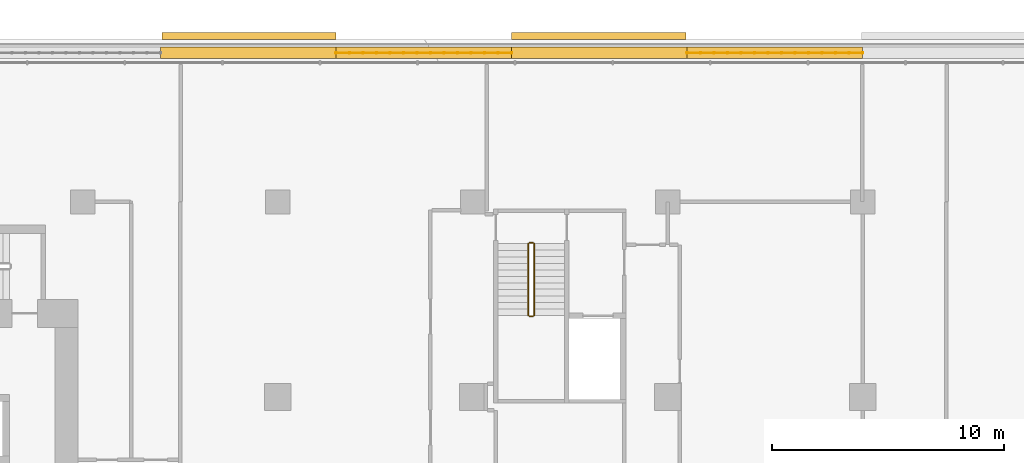
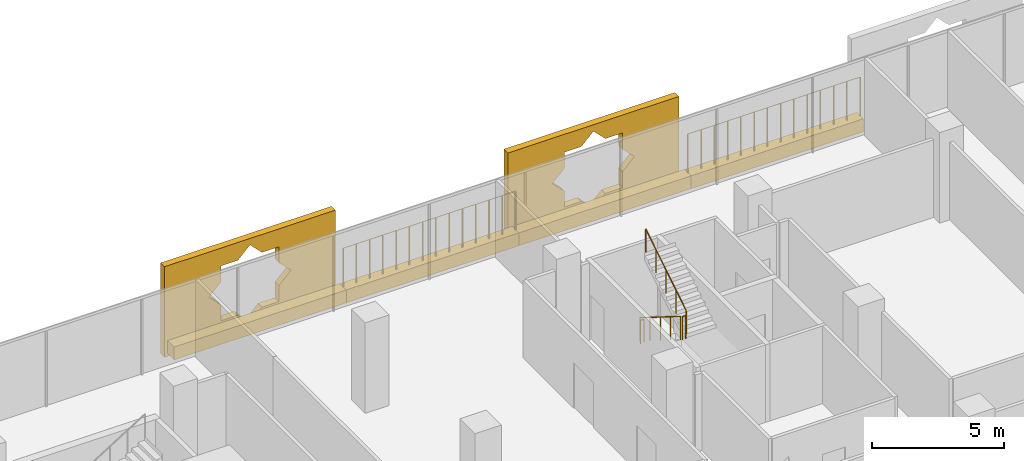
# One storey, part 28 of 29: 6 coverings, 6 railings.
"""IFC4 building model written with IfcOpenShell, lengths in metres."""

from ifc_helpers import new_model, si_unit, direction, frame, origin, origin_2d, place, context, subcontext, project, spatial, polyline, rectangle, circle, outline, extrude, material, material_profile, profile_set, type_object, element, save


model = new_model("IFC4")

# Units and contexts
model_context = context("Model", 3, precision=1e-05, world=origin(), true_north=direction((0.0, 1.0)))
body_context = subcontext(model_context, "Body", "Model", "MODEL_VIEW")
ifc_project = project(units=[si_unit("LENGTHUNIT", "METRE"), si_unit("AREAUNIT", "SQUARE_METRE"), si_unit("VOLUMEUNIT", "CUBIC_METRE"), si_unit("PLANEANGLEUNIT", "RADIAN"), si_unit("MASSUNIT", "GRAM", prefix="KILO")], contexts=[model_context])

# Site, building, storey
site_placement = place(None, origin())
site = spatial("IfcSite", under=ifc_project, at=site_placement, CompositionType="ELEMENT")
building_placement = place(site_placement, origin())
building = spatial("IfcBuilding", under=site, at=building_placement, Name="Kawkab Arch Medical Tower", CompositionType="ELEMENT")
storey_placement = place(building_placement, frame((0.0, 0.0, 107.199951171875)))
storey = spatial("IfcBuildingStorey", under=building, at=storey_placement, Name="L24", CompositionType="ELEMENT", Elevation=107.199951171875)

# Coverings
ifc_material_1 = material(Name="Bronze anodised aluminium mashrabiya panel, eight-point star pattern", Category="aluminium")
ifc_material_profile_1 = material_profile(ifc_material_1, outline(polyline([(-3.75, -2.10009765625), (3.75, -2.10009765625), (3.75, 2.10009765625), (-3.75, 2.10009765625), (-3.75, -2.10009765625)]), holes=[polyline([(1.800048828125, 0.0), (1.272705078125, 0.527099609375), (1.272705078125, 1.272705078125), (0.527099609375, 1.272705078125), (0.0, 1.800048828125), (-0.527099609375, 1.272705078125), (-1.272705078125, 1.272705078125), (-1.272705078125, 0.527099609375), (-1.800048828125, 0.0), (-1.272705078125, -0.527099609375), (-1.272705078125, -1.272705078125), (-0.527099609375, -1.272705078125), (0.0, -1.800048828125), (0.527099609375, -1.272705078125), (1.272705078125, -1.272705078125), (1.272705078125, -0.527099609375), (1.800048828125, 0.0)])]), Name="Mashrabiya panel 7500x4200")
ifc_profile_set_1 = profile_set([ifc_material_profile_1], Name="Bronze anodised aluminium mashrabiya panel, eight-point star pattern")
covering_type_1 = type_object("IfcCoveringType", Name="Mashrabiya panel 7500 x 4200", PredefinedType="USERDEFINED", material=ifc_profile_set_1)
for number, where, z_axis, x_axis, name in (
    (1, (32.3662109375, 7.0, 1.699951171875), (0.0, 1.0, 0.0), (-1.0, 0.0, 0.0), "Mashrabiya panel L24.LOG-01-02.7"),
    (2, (47.433837890625, 7.0, 1.699951171875), (0.0, 1.0, 0.0), (-1.0, 0.0, 0.0), "Mashrabiya panel L24.LOG-01-02.8"),
):
    element("IfcCovering", number, at=place(storey_placement, frame(where, z_axis=z_axis, x_axis=x_axis)), inside=storey, type_object=covering_type_1, Name=name, ObjectType="SCREEN", PredefinedType="USERDEFINED", context=body_context, shape_type="SweptSolid", body=[
        extrude(outline(polyline([(-3.75, -2.10009765625), (3.75, -2.10009765625), (3.75, 2.10009765625), (-3.75, 2.10009765625), (-3.75, -2.10009765625)]), holes=[polyline([(1.800048828125, 0.0), (1.272705078125, 0.527099609375), (1.272705078125, 1.272705078125), (0.527099609375, 1.272705078125), (0.0, 1.800048828125), (-0.527099609375, 1.272705078125), (-1.272705078125, 1.272705078125), (-1.272705078125, 0.527099609375), (-1.800048828125, 0.0), (-1.272705078125, -0.527099609375), (-1.272705078125, -1.272705078125), (-0.527099609375, -1.272705078125), (0.0, -1.800048828125), (0.527099609375, -1.272705078125), (1.272705078125, -1.272705078125), (1.272705078125, -0.527099609375), (1.800048828125, 0.0)])]), origin(), (0.0, 0.0, 1.0), 0.300048828125),
    ])
ifc_material_2 = material(Name="Planting soil in a precast trough", Category="concrete")
ifc_material_profile_2 = material_profile(ifc_material_2, rectangle(XDim=0.5, YDim=0.60009765625, at=origin_2d()), Name="Trough 500x600")
ifc_profile_set_2 = profile_set([ifc_material_profile_2], Name="Planting soil in a precast trough")
covering_type_2 = type_object("IfcCoveringType", Name="Planter trough 500 x 600", PredefinedType="USERDEFINED", material=ifc_profile_set_2)
covering_1_placement = place(storey_placement, frame((28.55810546875, 6.419921875, 0.300048828125), z_axis=(1.0, 0.0, 0.0), x_axis=(0.0, 1.0, 0.0)))
element("IfcCovering", 3, at=covering_1_placement, inside=storey, type_object=covering_type_2, Name="Planter L24.LOG-01-02.20", ObjectType="PLANTER", PredefinedType="USERDEFINED", context=body_context, shape_type="SweptSolid", body=[
    extrude(rectangle(XDim=0.5, YDim=0.60009765625, at=origin_2d()), origin(), (0.0, 0.0, 1.0), 7.560791015625),
])
covering_2_placement = place(storey_placement, frame((36.118896484375, 6.419921875, 0.300048828125), z_axis=(1.0, 0.0, 0.0), x_axis=(0.0, 1.0, 0.0)))
element("IfcCovering", 4, at=covering_2_placement, inside=storey, type_object=covering_type_2, Name="Planter L24.LOG-01-02.21", ObjectType="PLANTER", PredefinedType="USERDEFINED", context=body_context, shape_type="SweptSolid", body=[
    extrude(rectangle(XDim=0.5, YDim=0.60009765625, at=origin_2d()), origin(), (0.0, 0.0, 1.0), 7.56201171875),
])
for number, where, z_axis, x_axis, name in (
    (5, (43.680908203125, 6.419921875, 0.300048828125), (1.0, 0.0, 0.0), (0.0, 1.0, 0.0), "Planter L24.LOG-01-02.22"),
    (6, (51.241943359375, 6.419921875, 0.300048828125), (1.0, 0.0, 0.0), (0.0, 1.0, 0.0), "Planter L24.LOG-01-02.23"),
):
    element("IfcCovering", number, at=place(storey_placement, frame(where, z_axis=z_axis, x_axis=x_axis)), inside=storey, type_object=covering_type_2, Name=name, ObjectType="PLANTER", PredefinedType="USERDEFINED", context=body_context, shape_type="SweptSolid", body=[
        extrude(rectangle(XDim=0.5, YDim=0.60009765625, at=origin_2d()), origin(), (0.0, 0.0, 1.0), 7.56103515625),
    ])

# Railings
ifc_material_3 = material(Name="Bronze anodised aluminium trellis for climbing plants", Category="aluminium")
railing_type_1 = type_object("IfcRailingType", Name="Planting trellis 2400", PredefinedType="USERDEFINED", material=ifc_material_3)
railing_1_placement = place(storey_placement, frame((36.118896484375, 6.419921875, 0.0)))
element("IfcRailing", 7, at=railing_1_placement, inside=storey, type_object=railing_type_1, Name="Planting trellis L24.LOG-01-02.21", ObjectType="TRELLIS", PredefinedType="USERDEFINED", context=body_context, shape_type="SweptSolid", body=[
    extrude(circle(Radius=0.01513671875, at=origin_2d()), frame((0.0, 0.0, 2.384765625), z_axis=(1.0, 0.0, 0.0), x_axis=(0.0, 1.0, 0.0)), (0.0, 0.0, 1.0), 7.56201171875),
    extrude(circle(Radius=0.030029296875, at=origin_2d()), origin(), (0.0, 0.0, 1.0), 2.369873046875),
    extrude(circle(Radius=0.030029296875, at=origin_2d()), frame((0.581787109375, 0.0, 0.0)), (0.0, 0.0, 1.0), 2.369873046875),
    extrude(circle(Radius=0.030029296875, at=origin_2d()), frame((1.163330078125, 0.0, 0.0)), (0.0, 0.0, 1.0), 2.369873046875),
    extrude(circle(Radius=0.030029296875, at=origin_2d()), frame((1.7451171875, 0.0, 0.0)), (0.0, 0.0, 1.0), 2.369873046875),
    extrude(circle(Radius=0.030029296875, at=origin_2d()), frame((2.32666015625, 0.0, 0.0)), (0.0, 0.0, 1.0), 2.369873046875),
    extrude(circle(Radius=0.030029296875, at=origin_2d()), frame((2.908447265625, 0.0, 0.0)), (0.0, 0.0, 1.0), 2.369873046875),
    extrude(circle(Radius=0.030029296875, at=origin_2d()), frame((3.490234375, 0.0, 0.0)), (0.0, 0.0, 1.0), 2.369873046875),
    extrude(circle(Radius=0.030029296875, at=origin_2d()), frame((4.07177734375, 0.0, 0.0)), (0.0, 0.0, 1.0), 2.369873046875),
    extrude(circle(Radius=0.030029296875, at=origin_2d()), frame((4.653564453125, 0.0, 0.0)), (0.0, 0.0, 1.0), 2.369873046875),
    extrude(circle(Radius=0.030029296875, at=origin_2d()), frame((5.2353515625, 0.0, 0.0)), (0.0, 0.0, 1.0), 2.369873046875),
    extrude(circle(Radius=0.030029296875, at=origin_2d()), frame((5.81689453125, 0.0, 0.0)), (0.0, 0.0, 1.0), 2.369873046875),
    extrude(circle(Radius=0.030029296875, at=origin_2d()), frame((6.398681640625, 0.0, 0.0)), (0.0, 0.0, 1.0), 2.369873046875),
    extrude(circle(Radius=0.030029296875, at=origin_2d()), frame((6.980224609375, 0.0, 0.0)), (0.0, 0.0, 1.0), 2.369873046875),
    extrude(circle(Radius=0.030029296875, at=origin_2d()), frame((7.56201171875, 0.0, 0.0)), (0.0, 0.0, 1.0), 2.369873046875),
])
railing_2_placement = place(storey_placement, frame((51.241943359375, 6.419921875, 0.0)))
element("IfcRailing", 8, at=railing_2_placement, inside=storey, type_object=railing_type_1, Name="Planting trellis L24.LOG-01-02.23", ObjectType="TRELLIS", PredefinedType="USERDEFINED", context=body_context, shape_type="SweptSolid", body=[
    extrude(circle(Radius=0.01513671875, at=origin_2d()), frame((0.0, 0.0, 2.384765625), z_axis=(1.0, 0.0, 0.0), x_axis=(0.0, 1.0, 0.0)), (0.0, 0.0, 1.0), 7.56103515625),
    extrude(circle(Radius=0.030029296875, at=origin_2d()), origin(), (0.0, 0.0, 1.0), 2.369873046875),
    extrude(circle(Radius=0.030029296875, at=origin_2d()), frame((0.58154296875, 0.0, 0.0)), (0.0, 0.0, 1.0), 2.369873046875),
    extrude(circle(Radius=0.030029296875, at=origin_2d()), frame((1.163330078125, 0.0, 0.0)), (0.0, 0.0, 1.0), 2.369873046875),
    extrude(circle(Radius=0.030029296875, at=origin_2d()), frame((1.744873046875, 0.0, 0.0)), (0.0, 0.0, 1.0), 2.369873046875),
    extrude(circle(Radius=0.030029296875, at=origin_2d()), frame((2.326416015625, 0.0, 0.0)), (0.0, 0.0, 1.0), 2.369873046875),
    extrude(circle(Radius=0.030029296875, at=origin_2d()), frame((2.908203125, 0.0, 0.0)), (0.0, 0.0, 1.0), 2.369873046875),
    extrude(circle(Radius=0.030029296875, at=origin_2d()), frame((3.48974609375, 0.0, 0.0)), (0.0, 0.0, 1.0), 2.369873046875),
    extrude(circle(Radius=0.030029296875, at=origin_2d()), frame((4.0712890625, 0.0, 0.0)), (0.0, 0.0, 1.0), 2.369873046875),
    extrude(circle(Radius=0.030029296875, at=origin_2d()), frame((4.65283203125, 0.0, 0.0)), (0.0, 0.0, 1.0), 2.369873046875),
    extrude(circle(Radius=0.030029296875, at=origin_2d()), frame((5.234619140625, 0.0, 0.0)), (0.0, 0.0, 1.0), 2.369873046875),
    extrude(circle(Radius=0.030029296875, at=origin_2d()), frame((5.816162109375, 0.0, 0.0)), (0.0, 0.0, 1.0), 2.369873046875),
    extrude(circle(Radius=0.030029296875, at=origin_2d()), frame((6.397705078125, 0.0, 0.0)), (0.0, 0.0, 1.0), 2.369873046875),
    extrude(circle(Radius=0.030029296875, at=origin_2d()), frame((6.9794921875, 0.0, 0.0)), (0.0, 0.0, 1.0), 2.369873046875),
    extrude(circle(Radius=0.030029296875, at=origin_2d()), frame((7.56103515625, 0.0, 0.0)), (0.0, 0.0, 1.0), 2.369873046875),
])
ifc_material_4 = material(Name="Stainless steel", Category="steel")
railing_type_2 = type_object("IfcRailingType", Name="Stair guard 1100", PredefinedType="GUARDRAIL", material=ifc_material_4)
railing_3_placement = place(storey_placement, frame((44.39990234375, -1.800048828125, 0.175048828125)))
element("IfcRailing", 9, at=railing_3_placement, inside=storey, type_object=railing_type_2, Name="L24 ST5 stair guard 1", PredefinedType="GUARDRAIL", context=body_context, shape_type="SweptSolid", body=[
    extrude(circle(Radius=0.02392578125, at=origin_2d()), frame((0.0, 0.0, 1.076171875), z_axis=(0.0, -0.847979421464, 0.530029150871), x_axis=(1.0, 0.0, 0.0)), (0.0, 0.0, 1.0), 3.632080078125),
    extrude(circle(Radius=0.02099609375, at=origin_2d()), origin(), (0.0, 0.0, 1.0), 1.052001953125),
    extrude(circle(Radius=0.02099609375, at=origin_2d()), frame((0.0, -0.77001953125, 0.481201171875)), (0.0, 0.0, 1.0), 1.052001953125),
    extrude(circle(Radius=0.02099609375, at=origin_2d()), frame((0.0, -1.5400390625, 0.96240234375)), (0.0, 0.0, 1.0), 1.052001953125),
    extrude(circle(Radius=0.02099609375, at=origin_2d()), frame((0.0, -2.309814453125, 1.44384765625)), (0.0, 0.0, 1.0), 1.052001953125),
    extrude(circle(Radius=0.02099609375, at=origin_2d()), frame((0.0, -3.079833984375, 1.925048828125)), (0.0, 0.0, 1.0), 1.052001953125),
])
railing_4_placement = place(storey_placement, frame((44.449951171875, -4.929931640625, 2.10009765625)))
element("IfcRailing", 10, at=railing_4_placement, inside=storey, type_object=railing_type_2, Name="L24 ST5 stair guard 2", PredefinedType="GUARDRAIL", context=body_context, shape_type="SweptSolid", body=[
    extrude(circle(Radius=0.02392578125, at=origin_2d()), frame((0.0, 0.0, 1.076171875), z_axis=(1.0, 0.0, 0.0), x_axis=(0.0, 1.0, 0.0)), (0.0, 0.0, 1.0), 0.150146484375),
    extrude(circle(Radius=0.02099609375, at=origin_2d()), origin(), (0.0, 0.0, 1.0), 1.052001953125),
    extrude(circle(Radius=0.02099609375, at=origin_2d()), frame((0.150146484375, 0.0, 0.0)), (0.0, 0.0, 1.0), 1.052001953125),
])
railing_5_placement = place(storey_placement, frame((44.64990234375, -4.8798828125, 2.275146484375)))
element("IfcRailing", 11, at=railing_5_placement, inside=storey, type_object=railing_type_2, Name="L24 ST5 stair guard 3", PredefinedType="GUARDRAIL", context=body_context, shape_type="SweptSolid", body=[
    extrude(circle(Radius=0.02392578125, at=origin_2d()), frame((0.0, 0.0, 1.076171875), z_axis=(0.0, 0.848009633417, 0.529980812513), x_axis=(-1.0, 0.0, 0.0)), (0.0, 0.0, 1.0), 3.6318359375),
    extrude(circle(Radius=0.02099609375, at=origin_2d()), origin(), (0.0, 0.0, 1.0), 1.052001953125),
    extrude(circle(Radius=0.02099609375, at=origin_2d()), frame((0.0, 0.77001953125, 0.481201171875)), (0.0, 0.0, 1.0), 1.052001953125),
    extrude(circle(Radius=0.02099609375, at=origin_2d()), frame((0.0, 1.5400390625, 0.96240234375)), (0.0, 0.0, 1.0), 1.052001953125),
    extrude(circle(Radius=0.02099609375, at=origin_2d()), frame((0.0, 2.309814453125, 1.443603515625)), (0.0, 0.0, 1.0), 1.052001953125),
    extrude(circle(Radius=0.02099609375, at=origin_2d()), frame((0.0, 3.079833984375, 1.9248046875)), (0.0, 0.0, 1.0), 1.052001953125),
])
railing_6_placement = place(storey_placement, frame((44.449951171875, -1.75, 0.0)))
element("IfcRailing", 12, at=railing_6_placement, inside=storey, type_object=railing_type_2, Name="L24 ST5 stair guard 4", PredefinedType="GUARDRAIL", context=body_context, shape_type="SweptSolid", body=[
    extrude(circle(Radius=0.02392578125, at=origin_2d()), frame((0.0, 0.0, 1.076171875), z_axis=(1.0, 0.0, 0.0), x_axis=(0.0, 1.0, 0.0)), (0.0, 0.0, 1.0), 0.150146484375),
    extrude(circle(Radius=0.02099609375, at=origin_2d()), origin(), (0.0, 0.0, 1.0), 1.052001953125),
    extrude(circle(Radius=0.02099609375, at=origin_2d()), frame((0.150146484375, 0.0, 0.0)), (0.0, 0.0, 1.0), 1.052001953125),
])

save(model, "model.ifc")
